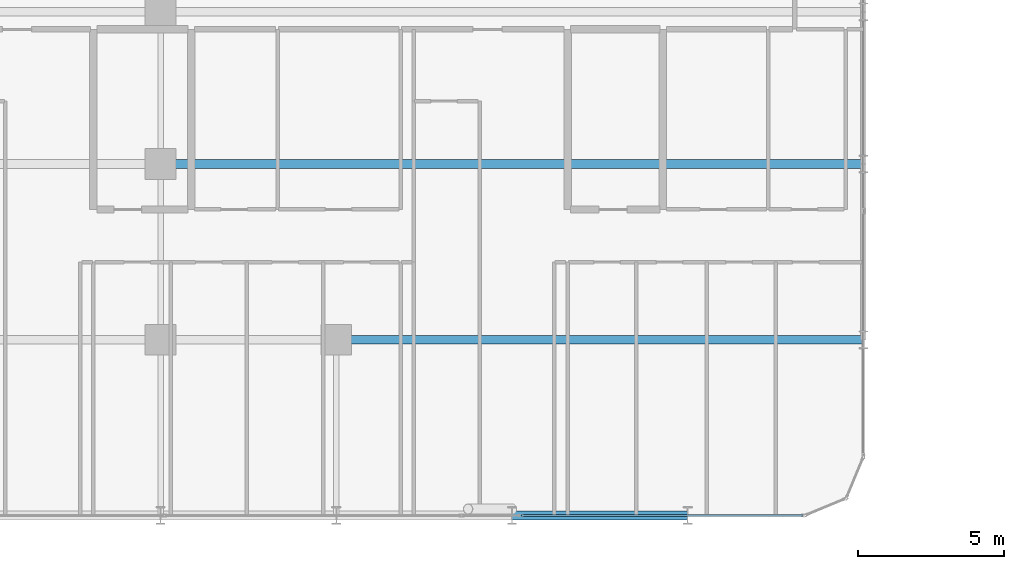
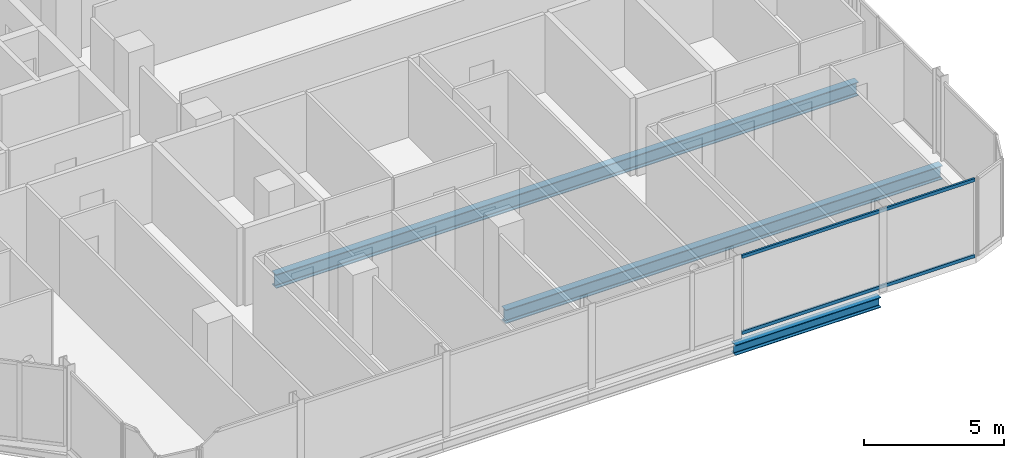
# One storey, part 9 of 29: 3 beams, 2 members, 1 element without a shape of its own.
"""IFC4 building model written with IfcOpenShell, lengths in metres."""

from ifc_helpers import new_model, si_unit, direction, frame, origin, origin_2d, place, context, subcontext, project, spatial, hollow_rectangle, i_section, extrude, material, layer, layer_set, material_profile, profile_set, type_object, element, aggregate, save


model = new_model("IFC4")

# Units and contexts
model_context = context("Model", 3, precision=1e-05, world=origin(), true_north=direction((0.0, 1.0)))
body_context = subcontext(model_context, "Body", "Model", "MODEL_VIEW")
ifc_project = project(units=[si_unit("LENGTHUNIT", "METRE"), si_unit("AREAUNIT", "SQUARE_METRE"), si_unit("VOLUMEUNIT", "CUBIC_METRE"), si_unit("PLANEANGLEUNIT", "RADIAN"), si_unit("MASSUNIT", "GRAM", prefix="KILO")], contexts=[model_context])

# Site, building, storey
site_placement = place(None, origin())
site = spatial("IfcSite", under=ifc_project, at=site_placement, CompositionType="ELEMENT")
building_placement = place(site_placement, origin())
building = spatial("IfcBuilding", under=site, at=building_placement, Name="Keshet Zoharim Tower", CompositionType="ELEMENT")
storey_placement = place(building_placement, frame((0.0, 0.0, 98.300048828125)))
storey = spatial("IfcBuildingStorey", under=building, at=storey_placement, Name="L23", CompositionType="ELEMENT", Elevation=98.300048828125)

# Beams
ifc_material_1 = material(Name="Steel S355", Category="steel")
ifc_material_profile_1 = material_profile(ifc_material_1, i_section(OverallWidth=0.300048828125, OverallDepth=0.60009765625, WebThickness=0.015380859375, FlangeThickness=0.030029296875, FilletRadius=0.027099609375, at=origin_2d()), Name="HEB600")
ifc_profile_set_1 = profile_set([ifc_material_profile_1], Name="Steel S355")
beam_type_1 = type_object("IfcBeamType", Name="BM-LNG-HB600", PredefinedType="BEAM", material=ifc_profile_set_1)
beam_1_placement = place(storey_placement, frame((39.0, 6.699951171875, -0.614990234375), z_axis=(1.0, 0.0, 0.0), x_axis=(0.0, 1.0, 0.0)))
element("IfcBeam", 1, at=beam_1_placement, inside=storey, type_object=beam_type_1, Name="L23 Primary Girder X-008", PredefinedType="BEAM", context=body_context, shape_type="SweptSolid", body=[
    extrude(i_section(OverallWidth=0.300048828125, OverallDepth=0.60009765625, WebThickness=0.015380859375, FlangeThickness=0.030029296875, FilletRadius=0.027099609375, at=origin_2d()), origin(), (0.0, 0.0, 1.0), 18.0),
])
beam_2_placement = place(storey_placement, frame((33.0, 12.699951171875, -0.614990234375), z_axis=(1.0, 0.0, 0.0), x_axis=(0.0, 1.0, 0.0)))
element("IfcBeam", 2, at=beam_2_placement, inside=storey, type_object=beam_type_1, Name="L23 Primary Girder X-010", PredefinedType="BEAM", context=body_context, shape_type="SweptSolid", body=[
    extrude(i_section(OverallWidth=0.300048828125, OverallDepth=0.60009765625, WebThickness=0.015380859375, FlangeThickness=0.030029296875, FilletRadius=0.027099609375, at=origin_2d()), origin(), (0.0, 0.0, 1.0), 24.0),
])
ifc_material_profile_2 = material_profile(ifc_material_1, i_section(OverallWidth=0.300048828125, OverallDepth=0.449951171875, WebThickness=0.013916015625, FlangeThickness=0.02587890625, FilletRadius=0.027099609375, at=origin_2d()), Name="HEB450")
ifc_profile_set_2 = profile_set([ifc_material_profile_2], Name="Steel S355")
beam_type_2 = type_object("IfcBeamType", Name="BM-WEB-HB450", PredefinedType="BEAM", material=ifc_profile_set_2)
beam_3_placement = place(storey_placement, frame((45.0, 0.699951171875, -0.5400390625), z_axis=(1.0, 0.0, 0.0), x_axis=(0.0, 1.0, 0.0)))
element("IfcBeam", 3, at=beam_3_placement, inside=storey, type_object=beam_type_2, Name="L23 Primary Girder X-004", PredefinedType="BEAM", context=body_context, shape_type="SweptSolid", body=[
    extrude(i_section(OverallWidth=0.300048828125, OverallDepth=0.449951171875, WebThickness=0.013916015625, FlangeThickness=0.02587890625, FilletRadius=0.027099609375, at=origin_2d()), origin(), (0.0, 0.0, 1.0), 6.0),
])

# Curtain wall, members
ifc_material_2 = material(Name="Aluminium 6063-T6", Category="aluminium")
ifc_layer = layer(ifc_material_2, 0.159912109375)
ifc_layer_set = layer_set([ifc_layer], Name="Aluminium 6063-T6")
curtain_wall_type = type_object("IfcCurtainWallType", Name="CW-SYS-03", PredefinedType="NOTDEFINED", material=ifc_layer_set)
curtain_wall_placement = place(storey_placement, origin())
curtain_wall = element("IfcCurtainWall", 4, at=curtain_wall_placement, inside=storey, type_object=curtain_wall_type, Name="L23 Unitised Curtain Wall 03", PredefinedType="NOTDEFINED")
ifc_material_profile_3 = material_profile(ifc_material_2, hollow_rectangle(XDim=0.080078125, YDim=0.139892578125, WallThickness=0.00390625, at=origin_2d()), Name="TRN-80x140")
ifc_profile_set_3 = profile_set([ifc_material_profile_3], Name="Aluminium 6063-T6")
member_type = type_object("IfcMemberType", Name="CWT-T14", PredefinedType="USERDEFINED", material=ifc_profile_set_3)
member_1_placement = place(storey_placement, frame((54.929931640625, 0.699951171875, 0.034912109375), z_axis=(-1.0, 0.0, 0.0), x_axis=(0.0, -1.0, 0.0)))
member_1 = element("IfcMember", 5, at=member_1_placement, type_object=member_type, Name="CW-03 transom 1.1", ObjectType="TRANSOM", PredefinedType="USERDEFINED", context=body_context, shape_type="SweptSolid", body=[
    extrude(hollow_rectangle(XDim=0.080078125, YDim=0.139892578125, WallThickness=0.00390625, at=origin_2d()), origin(), (0.0, 0.0, 1.0), 9.597412109375),
])
member_2_placement = place(storey_placement, frame((54.929931640625, 0.699951171875, 3.349853515625), z_axis=(-1.0, 0.0, 0.0), x_axis=(0.0, -1.0, 0.0)))
member_2 = element("IfcMember", 6, at=member_2_placement, type_object=member_type, Name="CW-03 transom 1.2", ObjectType="TRANSOM", PredefinedType="USERDEFINED", context=body_context, shape_type="SweptSolid", body=[
    extrude(hollow_rectangle(XDim=0.080078125, YDim=0.139892578125, WallThickness=0.00390625, at=origin_2d()), origin(), (0.0, 0.0, 1.0), 9.597412109375),
])
aggregate(curtain_wall, [member_1, member_2])

save(model, "model.ifc")
